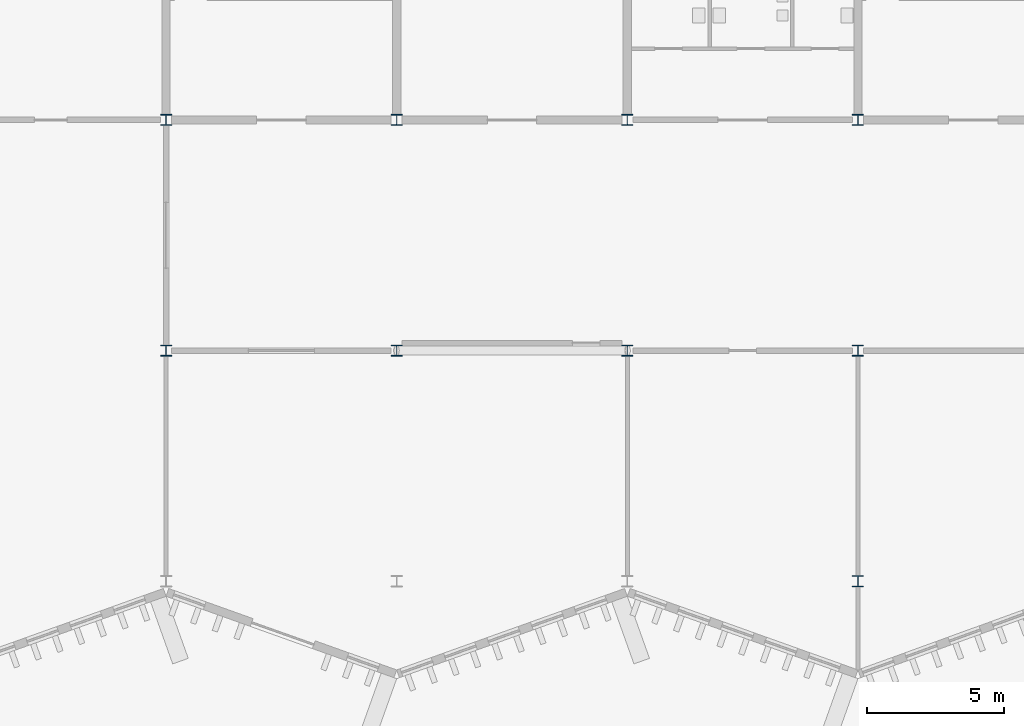
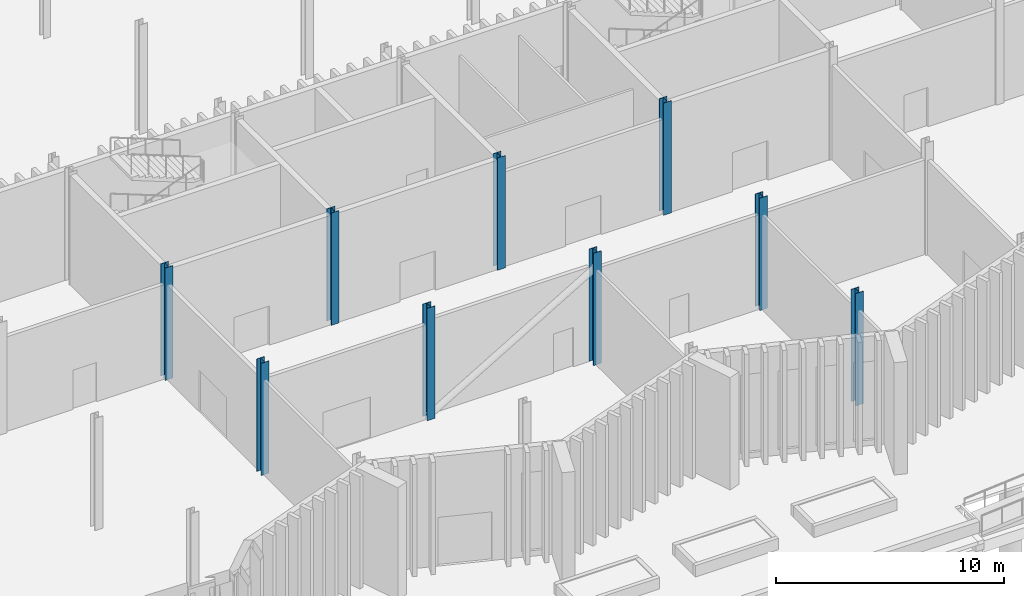
# One storey, part 11 of 108: 9 columns.
"""IFC4 building model written with IfcOpenShell, lengths in metres."""

from ifc_helpers import new_model, si_unit, direction, frame, origin, origin_2d, place, context, subcontext, project, spatial, i_section, extrude, material, material_profile, profile_set, type_object, element, save


model = new_model("IFC4")

# Units and contexts
model_context = context("Model", 3, precision=1e-05, world=origin(), true_north=direction((0.0, 1.0)))
body_context = subcontext(model_context, "Body", "Model", "MODEL_VIEW")
ifc_project = project(units=[si_unit("LENGTHUNIT", "METRE"), si_unit("AREAUNIT", "SQUARE_METRE"), si_unit("VOLUMEUNIT", "CUBIC_METRE"), si_unit("PLANEANGLEUNIT", "RADIAN"), si_unit("MASSUNIT", "GRAM", prefix="KILO")], contexts=[model_context])

# Site, building, storey
site_placement = place(None, origin())
site = spatial("IfcSite", under=ifc_project, at=site_placement, CompositionType="ELEMENT")
building_placement = place(site_placement, origin())
building = spatial("IfcBuilding", under=site, at=building_placement, Name="Cresset Court Congress Hotel", CompositionType="ELEMENT")
storey_placement = place(building_placement, origin())
storey = spatial("IfcBuildingStorey", under=building, at=storey_placement, Name="L00", CompositionType="ELEMENT", Elevation=0.0)

# Columns
ifc_material = material(Name="Structural steel Q355B", Category="steel")
ifc_material_profile = material_profile(ifc_material, i_section(OverallWidth=0.39990234375, OverallDepth=0.39990234375, WebThickness=0.012939453125, FlangeThickness=0.02099609375, FilletRadius=0.02197265625, at=origin_2d()), Name="HW400x400x13x21")
ifc_profile_set = profile_set([ifc_material_profile], Name="Structural steel Q355B")
column_type = type_object("IfcColumnType", Name="Steel column HW400x400x13x21", PredefinedType="COLUMN", material=ifc_profile_set)
for number, where, z_axis, x_axis, name in (
    (1, (33.60009765625, 8.39990234375, 0.0), (0.0, 0.0, 1.0), (1.0, 0.0, 0.0), "B.col.L00.05B"),
    (2, (33.60009765625, 16.800048828125, 0.0), (0.0, 0.0, 1.0), (1.0, 0.0, 0.0), "B.col.L00.05C"),
    (3, (42.0, 8.39990234375, 0.0), (0.0, 0.0, 1.0), (1.0, 0.0, 0.0), "B.col.L00.06B"),
    (4, (42.0, 16.800048828125, 0.0), (0.0, 0.0, 1.0), (1.0, 0.0, 0.0), "B.col.L00.06C"),
    (5, (50.39990234375, 8.39990234375, 0.0), (0.0, 0.0, 1.0), (1.0, 0.0, 0.0), "B.col.L00.07B"),
    (6, (50.39990234375, 16.800048828125, 0.0), (0.0, 0.0, 1.0), (1.0, 0.0, 0.0), "B.col.L00.07C"),
    (7, (58.800048828125, 0.0, 0.0), (0.0, 0.0, 1.0), (1.0, 0.0, 0.0), "B.col.L00.08A"),
    (8, (58.800048828125, 8.39990234375, 0.0), (0.0, 0.0, 1.0), (1.0, 0.0, 0.0), "B.col.L00.08B"),
    (9, (58.800048828125, 16.800048828125, 0.0), (0.0, 0.0, 1.0), (1.0, 0.0, 0.0), "B.col.L00.08C"),
):
    element("IfcColumn", number, at=place(storey_placement, frame(where, z_axis=z_axis, x_axis=x_axis)), inside=storey, type_object=column_type, Name=name, PredefinedType="COLUMN", context=body_context, shape_type="SweptSolid", body=[
        extrude(i_section(OverallWidth=0.39990234375, OverallDepth=0.39990234375, WebThickness=0.012939453125, FlangeThickness=0.02099609375, FilletRadius=0.02197265625, at=origin_2d()), origin(), (0.0, 0.0, 1.0), 6.0),
    ])

save(model, "model.ifc")
